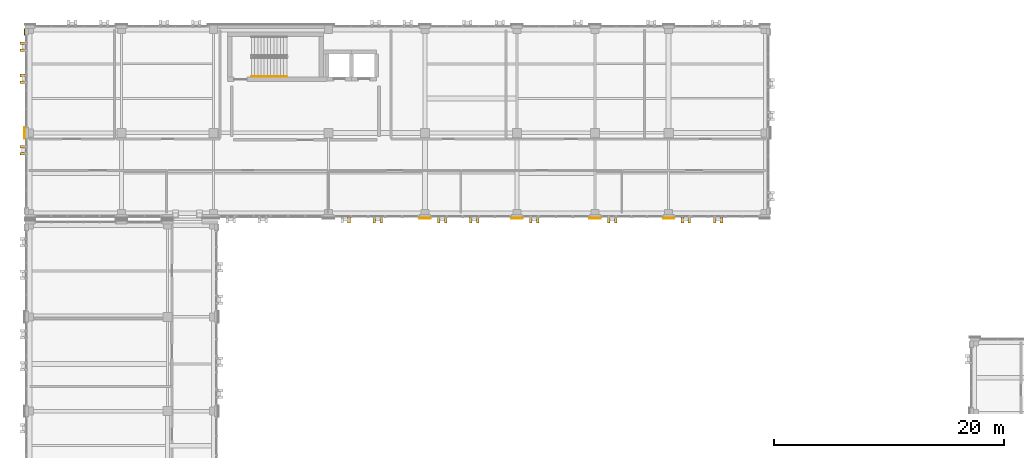
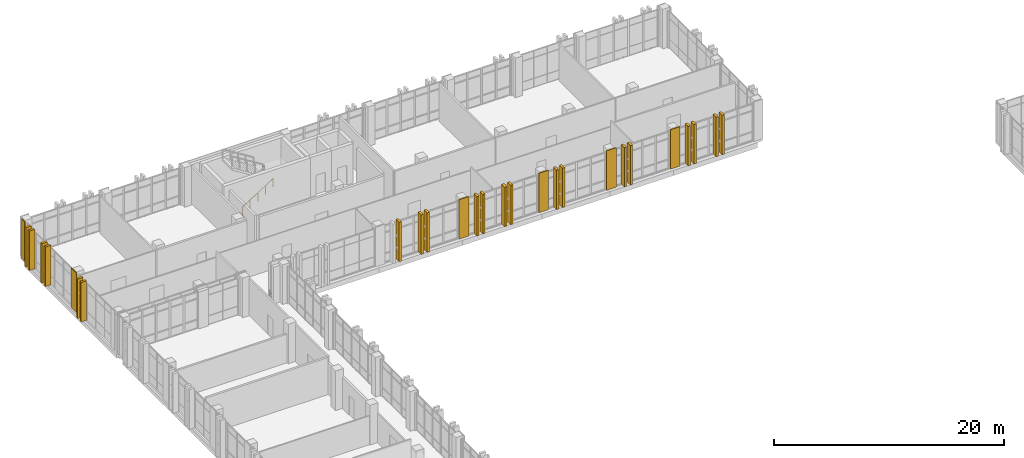
# One storey, part 183 of 193: 27 coverings, 1 railing.
"""IFC4 building model written with IfcOpenShell, lengths in metres."""

from ifc_helpers import new_model, si_unit, direction, frame, origin, origin_2d, place, context, subcontext, project, spatial, rectangle, circle, extrude, material, layer, layer_set, type_object, element, save


model = new_model("IFC4")

# Units and contexts
model_context = context("Model", 3, precision=1e-05, world=origin(), true_north=direction((0.0, 1.0)))
body_context = subcontext(model_context, "Body", "Model", "MODEL_VIEW")
ifc_project = project(units=[si_unit("LENGTHUNIT", "METRE"), si_unit("AREAUNIT", "SQUARE_METRE"), si_unit("VOLUMEUNIT", "CUBIC_METRE"), si_unit("PLANEANGLEUNIT", "RADIAN"), si_unit("MASSUNIT", "GRAM", prefix="KILO")], contexts=[model_context])

# Site, building, storey
site_placement = place(None, origin())
site = spatial("IfcSite", under=ifc_project, at=site_placement, CompositionType="ELEMENT")
building_placement = place(site_placement, origin())
building = spatial("IfcBuilding", under=site, at=building_placement, Name="Qalavern Law Courts", CompositionType="ELEMENT")
storey_placement = place(building_placement, frame((0.0, 0.0, 10.199951171875)))
storey = spatial("IfcBuildingStorey", under=building, at=storey_placement, Name="L02", CompositionType="ELEMENT", Elevation=10.199951171875)

# Coverings
ifc_material_1 = material(Name="Precast concrete C40/50", Category="concrete")
ifc_layer_1 = layer(ifc_material_1, 0.22998046875)
ifc_layer_set_1 = layer_set([ifc_layer_1], Name="Precast concrete C40/50")
covering_type_1 = type_object("IfcCoveringType", Name="ENV-BLD-2", PredefinedType="CLADDING", material=ifc_layer_set_1)
for number, where, z_axis, x_axis, name in (
    (1, (30.199951171875, 96.044921875, 0.005126953125), (0.0, 0.0, 1.0), (0.0, -1.0, 0.0), "Absheron stone facade blade 0958"),
    (2, (32.39990234375, 96.044921875, 0.005126953125), (0.0, 0.0, 1.0), (0.0, -1.0, 0.0), "Absheron stone facade blade 0959"),
    (3, (33.0, 96.044921875, 0.005126953125), (0.0, 0.0, 1.0), (0.0, -1.0, 0.0), "Absheron stone facade blade 0960"),
    (4, (38.0, 96.044921875, 0.005126953125), (0.0, 0.0, 1.0), (0.0, -1.0, 0.0), "Absheron stone facade blade 0961"),
    (5, (38.60009765625, 96.044921875, 0.005126953125), (0.0, 0.0, 1.0), (0.0, -1.0, 0.0), "Absheron stone facade blade 0962"),
    (6, (40.800048828125, 96.044921875, 0.005126953125), (0.0, 0.0, 1.0), (0.0, -1.0, 0.0), "Absheron stone facade blade 0963"),
    (7, (41.39990234375, 96.044921875, 0.005126953125), (0.0, 0.0, 1.0), (0.0, -1.0, 0.0), "Absheron stone facade blade 0964"),
    (8, (46.0, 96.044921875, 0.005126953125), (0.0, 0.0, 1.0), (0.0, -1.0, 0.0), "Absheron stone facade blade 0965"),
    (9, (46.60009765625, 96.044921875, 0.005126953125), (0.0, 0.0, 1.0), (0.0, -1.0, 0.0), "Absheron stone facade blade 0966"),
    (10, (52.800048828125, 96.044921875, 0.005126953125), (0.0, 0.0, 1.0), (0.0, -1.0, 0.0), "Absheron stone facade blade 0967"),
    (11, (53.39990234375, 96.044921875, 0.005126953125), (0.0, 0.0, 1.0), (0.0, -1.0, 0.0), "Absheron stone facade blade 0968"),
    (12, (59.199951171875, 96.044921875, 0.005126953125), (0.0, 0.0, 1.0), (0.0, -1.0, 0.0), "Absheron stone facade blade 0969"),
    (13, (59.800048828125, 96.044921875, 0.005126953125), (0.0, 0.0, 1.0), (0.0, -1.0, 0.0), "Absheron stone facade blade 0970"),
    (14, (62.0, 96.044921875, 0.005126953125), (0.0, 0.0, 1.0), (0.0, -1.0, 0.0), "Absheron stone facade blade 0971"),
    (15, (62.60009765625, 96.044921875, 0.005126953125), (0.0, 0.0, 1.0), (0.0, -1.0, 0.0), "Absheron stone facade blade 0972"),
    (16, (1.844970703125, 111.39990234375, 0.005126953125), (0.0, 0.0, 1.0), (-1.0, 0.0, 0.0), "Absheron stone facade blade 1003"),
    (17, (1.844970703125, 110.800048828125, 0.005126953125), (0.0, 0.0, 1.0), (-1.0, 0.0, 0.0), "Absheron stone facade blade 1004"),
    (18, (1.844970703125, 108.60009765625, 0.005126953125), (0.0, 0.0, 1.0), (-1.0, 0.0, 0.0), "Absheron stone facade blade 1005"),
    (19, (1.844970703125, 108.0, 0.005126953125), (0.0, 0.0, 1.0), (-1.0, 0.0, 0.0), "Absheron stone facade blade 1006"),
    (20, (1.844970703125, 102.39990234375, 0.005126953125), (0.0, 0.0, 1.0), (-1.0, 0.0, 0.0), "Absheron stone facade blade 1007"),
    (21, (1.844970703125, 101.800048828125, 0.005126953125), (0.0, 0.0, 1.0), (-1.0, 0.0, 0.0), "Absheron stone facade blade 1008"),
):
    element("IfcCovering", number, at=place(storey_placement, frame(where, z_axis=z_axis, x_axis=x_axis)), inside=storey, type_object=covering_type_1, Name=name, PredefinedType="CLADDING", context=body_context, shape_type="SweptSolid", body=[
        extrude(rectangle(XDim=0.5400390625, YDim=0.22998046875, at=origin_2d()), origin(), (0.0, 0.0, 1.0), 4.18994140625),
    ])
ifc_layer_2 = layer(ifc_material_1, 0.072021484375)
ifc_layer_set_2 = layer_set([ifc_layer_2], Name="Precast concrete C40/50")
covering_type_2 = type_object("IfcCoveringType", Name="ENV-CLD-2", PredefinedType="CLADDING", material=ifc_layer_set_2)
for number, where, z_axis, x_axis, name in (
    (22, (36.800048828125, 96.1669921875, 0.01025390625), (0.0, 0.0, 1.0), (1.0, 0.0, 0.0), "V5 Absheron limestone pier facing L02 south 3"),
    (23, (44.800048828125, 96.1669921875, 0.01025390625), (0.0, 0.0, 1.0), (1.0, 0.0, 0.0), "V5 Absheron limestone pier facing L02 south 4"),
    (24, (51.60009765625, 96.1669921875, 0.01025390625), (0.0, 0.0, 1.0), (1.0, 0.0, 0.0), "V5 Absheron limestone pier facing L02 south 5"),
    (25, (58.0, 96.1669921875, 0.01025390625), (0.0, 0.0, 1.0), (1.0, 0.0, 0.0), "V5 Absheron limestone pier facing L02 south 6"),
):
    element("IfcCovering", number, at=place(storey_placement, frame(where, z_axis=z_axis, x_axis=x_axis)), inside=storey, type_object=covering_type_2, Name=name, PredefinedType="CLADDING", context=body_context, shape_type="SweptSolid", body=[
        extrude(rectangle(XDim=0.97998046875, YDim=0.072021484375, at=origin_2d()), origin(), (0.0, 0.0, 1.0), 4.179931640625),
    ])
covering_1_placement = place(storey_placement, frame((1.967041015625, 112.3974609375, 0.01025390625), z_axis=(0.0, 0.0, 1.0), x_axis=(0.0, -1.0, 0.0)))
element("IfcCovering", 26, at=covering_1_placement, inside=storey, type_object=covering_type_2, Name="V5 Absheron limestone pier facing L02 west 1", PredefinedType="CLADDING", context=body_context, shape_type="SweptSolid", body=[
    extrude(rectangle(XDim=0.574951171875, YDim=0.072021484375, at=origin_2d()), origin(), (0.0, 0.0, 1.0), 4.179931640625),
])
covering_2_placement = place(storey_placement, frame((1.967041015625, 103.60009765625, 0.01025390625), z_axis=(0.0, 0.0, 1.0), x_axis=(0.0, -1.0, 0.0)))
element("IfcCovering", 27, at=covering_2_placement, inside=storey, type_object=covering_type_2, Name="V5 Absheron limestone pier facing L02 west 2", PredefinedType="CLADDING", context=body_context, shape_type="SweptSolid", body=[
    extrude(rectangle(XDim=0.97998046875, YDim=0.072021484375, at=origin_2d()), origin(), (0.0, 0.0, 1.0), 4.179931640625),
])

# Railing
ifc_material_2 = material(Name="Steel S355", Category="steel")
railing_type = type_object("IfcRailingType", Name="INT-HRAIL-920", PredefinedType="HANDRAIL", material=ifc_material_2)
railing_placement = place(storey_placement, frame((21.699951171875, 108.5, 0.175048828125)))
element("IfcRailing", 28, at=railing_placement, inside=storey, type_object=railing_type, Name="L02 ST-K3 stair handrail 1", PredefinedType="HANDRAIL", context=body_context, shape_type="SweptSolid", body=[
    extrude(circle(Radius=0.02392578125, at=origin_2d()), frame((0.0, 0.0, 0.8759765625), z_axis=(0.847998304005, 0.0, 0.529998940003), x_axis=(0.0, 1.0, 0.0)), (0.0, 0.0, 1.0), 3.632080078125),
    extrude(circle(Radius=0.02099609375, at=origin_2d()), origin(), (0.0, 0.0, 1.0), 0.851806640625),
    extrude(circle(Radius=0.02099609375, at=origin_2d()), frame((0.77001953125, 0.0, 0.481201171875)), (0.0, 0.0, 1.0), 0.851806640625),
    extrude(circle(Radius=0.02099609375, at=origin_2d()), frame((1.5400390625, 0.0, 0.96240234375)), (0.0, 0.0, 1.0), 0.851806640625),
    extrude(circle(Radius=0.02099609375, at=origin_2d()), frame((2.31005859375, 0.0, 1.44384765625)), (0.0, 0.0, 1.0), 0.851806640625),
    extrude(circle(Radius=0.02099609375, at=origin_2d()), frame((3.080078125, 0.0, 1.925048828125)), (0.0, 0.0, 1.0), 0.851806640625),
])

save(model, "model.ifc")
